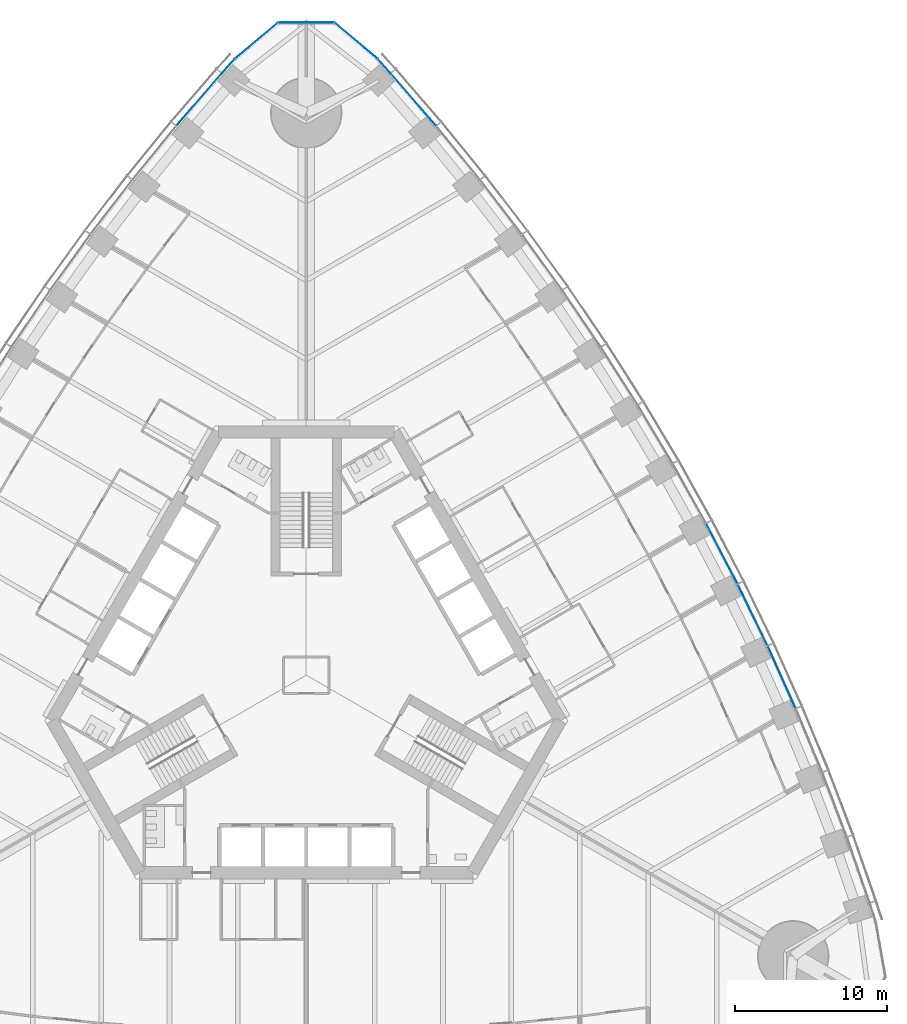
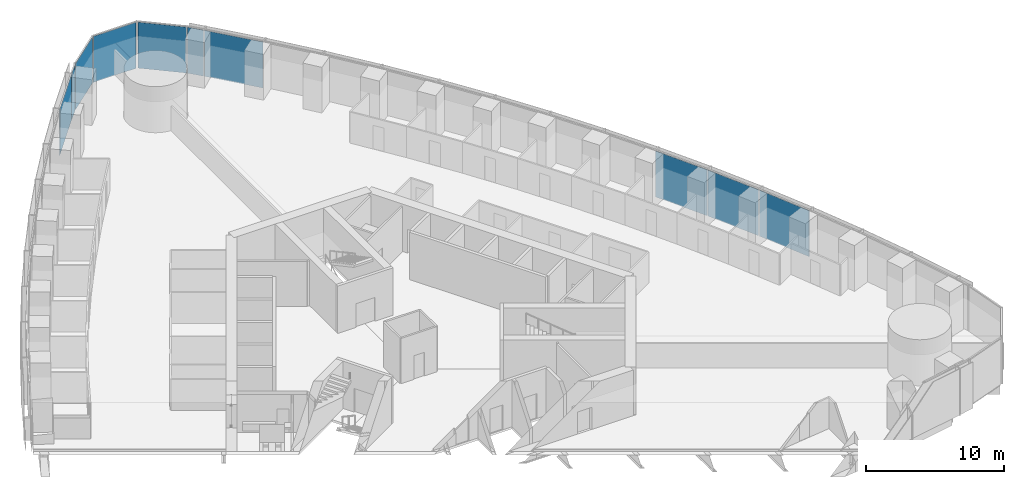
# One storey, part 9 of 19: 10 plates, 3 elements without a shape of their own.
"""IFC4 building model written with IfcOpenShell, lengths in metres."""

from ifc_helpers import new_model, si_unit, direction, frame, origin, origin_2d, place, context, subcontext, project, spatial, rectangle, extrude, material, layer, layer_set, type_object, element, aggregate, save


model = new_model("IFC4")

# Units and contexts
model_context = context("Model", 3, precision=1e-05, world=origin(), true_north=direction((0.0, 1.0)))
body_context = subcontext(model_context, "Body", "Model", "MODEL_VIEW")
ifc_project = project(units=[si_unit("LENGTHUNIT", "METRE"), si_unit("AREAUNIT", "SQUARE_METRE"), si_unit("VOLUMEUNIT", "CUBIC_METRE"), si_unit("PLANEANGLEUNIT", "RADIAN"), si_unit("MASSUNIT", "GRAM", prefix="KILO")], contexts=[model_context])

# Site, building, storey
site_placement = place(None, origin())
site = spatial("IfcSite", under=ifc_project, at=site_placement, CompositionType="ELEMENT")
building_placement = place(site_placement, origin())
building = spatial("IfcBuilding", under=site, at=building_placement, Name="Trefoil Bronze Tower", CompositionType="ELEMENT")
storey_placement = place(building_placement, frame((0.0, 0.0, 16.5)))
storey = spatial("IfcBuildingStorey", under=building, at=storey_placement, Name="L03", CompositionType="ELEMENT", Elevation=16.5)

# Curtain wall, plates
ifc_material_1 = material(Name="Tinted solar-control glass", Category="glass")
curtain_wall_type_1 = type_object("IfcCurtainWallType", Name="Bronze office curtain wall", PredefinedType="USERDEFINED", material=ifc_material_1)
curtain_wall_1_placement = place(storey_placement, origin())
curtain_wall_1 = element("IfcCurtainWall", 1, at=curtain_wall_1_placement, inside=storey, type_object=curtain_wall_type_1, Name="CW-A L03 F2", ObjectType="CURTAIN WALL", PredefinedType="USERDEFINED")
ifc_material_2 = material(Name="Tinted solar-control glass", Category="glass")
ifc_layer_1 = layer(ifc_material_2, 0.030029296875)
ifc_layer_set_1 = layer_set([ifc_layer_1], Name="Bronze office curtain wall glass panel")
plate_type_1 = type_object("IfcPlateType", Name="Bronze office curtain wall glass panel", PredefinedType="CURTAIN_PANEL", material=ifc_layer_set_1)
plate_1_placement = place(storey_placement, frame((31.28857421875, -0.1337890625, 0.0), z_axis=(0.0, 0.0, 1.0), x_axis=(-0.40945635808, 0.912329705111, 0.0)))
plate_1 = element("IfcPlate", 2, at=plate_1_placement, type_object=plate_type_1, Name="CW-A L03 F2 panel 5", PredefinedType="CURTAIN_PANEL", context=body_context, shape_type="SweptSolid", body=[
    extrude(rectangle(XDim=4.443359375, YDim=0.030029296875, at=origin_2d()), origin(), (0.0, 0.0, 1.0), 4.080078125),
])
plate_2_placement = place(storey_placement, frame((29.3779296875, 3.962646484375, 0.0), z_axis=(0.0, 0.0, 1.0), x_axis=(-0.4358553457, 0.900016731858, 0.0)))
plate_2 = element("IfcPlate", 3, at=plate_2_placement, type_object=plate_type_1, Name="CW-A L03 F2 panel 6", PredefinedType="CURTAIN_PANEL", context=body_context, shape_type="SweptSolid", body=[
    extrude(rectangle(XDim=4.431884765625, YDim=0.030029296875, at=origin_2d()), origin(), (0.0, 0.0, 1.0), 4.080078125),
])
plate_3_placement = place(storey_placement, frame((27.353271484375, 7.9931640625, 0.0), z_axis=(0.0, 0.0, 1.0), x_axis=(-0.46182981834, 0.886968555752, 0.0)))
plate_3 = element("IfcPlate", 4, at=plate_3_placement, type_object=plate_type_1, Name="CW-A L03 F2 panel 7", PredefinedType="CURTAIN_PANEL", context=body_context, shape_type="SweptSolid", body=[
    extrude(rectangle(XDim=4.42431640625, YDim=0.030029296875, at=origin_2d()), origin(), (0.0, 0.0, 1.0), 4.080078125),
])
plate_4_placement = place(storey_placement, frame((7.056396484375, 37.870849609375, 0.0), z_axis=(0.0, 0.0, 1.0), x_axis=(-0.654376090833, 0.756169248083, 0.0)))
plate_4 = element("IfcPlate", 5, at=plate_4_placement, type_object=plate_type_1, Name="CW-A L03 F2 panel 15", PredefinedType="CURTAIN_PANEL", context=body_context, shape_type="SweptSolid", body=[
    extrude(rectangle(XDim=4.502197265625, YDim=0.030029296875, at=origin_2d()), origin(), (0.0, 0.0, 1.0), 4.080078125),
])
plate_5_placement = place(storey_placement, frame((5.12451171875, 40.08447265625, 0.0), z_axis=(0.0, 0.0, 1.0), x_axis=(-0.668575006272, 0.743644714221, 0.0)))
plate_5 = element("IfcPlate", 6, at=plate_5_placement, type_object=plate_type_1, Name="CW-A L03 F2 panel 16", PredefinedType="CURTAIN_PANEL", context=body_context, shape_type="SweptSolid", body=[
    extrude(rectangle(XDim=1.21044921875, YDim=0.030029296875, at=origin_2d()), origin(), (0.0, 0.0, 1.0), 4.080078125),
])
aggregate(curtain_wall_1, [plate_1, plate_2, plate_3, plate_4, plate_5])

curtain_wall_2_placement = place(storey_placement, origin())
curtain_wall_2 = element("IfcCurtainWall", 7, at=curtain_wall_2_placement, inside=storey, type_object=curtain_wall_type_1, Name="CW-A L03 F3", ObjectType="CURTAIN WALL", PredefinedType="USERDEFINED")
plate_6_placement = place(storey_placement, frame((-5.12451171875, 40.08447265625, 0.0), z_axis=(0.0, 0.0, 1.0), x_axis=(-0.668575006272, -0.743644714221, 0.0)))
plate_6 = element("IfcPlate", 8, at=plate_6_placement, type_object=plate_type_1, Name="CW-A L03 F3 panel 1", PredefinedType="CURTAIN_PANEL", context=body_context, shape_type="SweptSolid", body=[
    extrude(rectangle(XDim=1.21044921875, YDim=0.030029296875, at=origin_2d()), origin(), (0.0, 0.0, 1.0), 4.080078125),
])
plate_7_placement = place(storey_placement, frame((-7.056396484375, 37.870849609375, 0.0), z_axis=(0.0, 0.0, 1.0), x_axis=(-0.654376090833, -0.756169248083, 0.0)))
plate_7 = element("IfcPlate", 9, at=plate_7_placement, type_object=plate_type_1, Name="CW-A L03 F3 panel 2", PredefinedType="CURTAIN_PANEL", context=body_context, shape_type="SweptSolid", body=[
    extrude(rectangle(XDim=4.502197265625, YDim=0.030029296875, at=origin_2d()), origin(), (0.0, 0.0, 1.0), 4.080078125),
])
aggregate(curtain_wall_2, [plate_6, plate_7])

ifc_material_3 = material(Name="Tinted solar-control glass", Category="glass")
curtain_wall_type_2 = type_object("IfcCurtainWallType", Name="Bronze rounded corner curtain wall", PredefinedType="USERDEFINED", material=ifc_material_3)
curtain_wall_3_placement = place(storey_placement, origin())
curtain_wall_3 = element("IfcCurtainWall", 10, at=curtain_wall_3_placement, inside=storey, type_object=curtain_wall_type_2, Name="CW-B L03 K2", ObjectType="CURTAIN WALL", PredefinedType="USERDEFINED")
ifc_material_4 = material(Name="Tinted solar-control glass", Category="glass")
ifc_layer_2 = layer(ifc_material_4, 0.030029296875)
ifc_layer_set_2 = layer_set([ifc_layer_2], Name="Bronze rounded corner curtain wall glass panel")
plate_type_2 = type_object("IfcPlateType", Name="Bronze rounded corner curtain wall glass panel", PredefinedType="CURTAIN_PANEL", material=ifc_layer_set_2)
plate_8_placement = place(storey_placement, frame((3.28564453125, 41.74658203125, 0.0), z_axis=(0.0, 0.0, 1.0), x_axis=(-0.766044443119, 0.642787609687, 0.0)))
plate_8 = element("IfcPlate", 11, at=plate_8_placement, type_object=plate_type_2, Name="CW-B L03 K2 panel 1", PredefinedType="CURTAIN_PANEL", context=body_context, shape_type="SweptSolid", body=[
    extrude(rectangle(XDim=3.588134765625, YDim=0.030029296875, at=origin_2d()), origin(), (0.0, 0.0, 1.0), 4.080078125),
])
plate_9_placement = place(storey_placement, frame((0.0, 42.9423828125, 0.0), z_axis=(0.0, 0.0, 1.0), x_axis=(-1.0, 0.0, 0.0)))
plate_9 = element("IfcPlate", 12, at=plate_9_placement, type_object=plate_type_2, Name="CW-B L03 K2 panel 2", PredefinedType="CURTAIN_PANEL", context=body_context, shape_type="SweptSolid", body=[
    extrude(rectangle(XDim=3.588134765625, YDim=0.030029296875, at=origin_2d()), origin(), (0.0, 0.0, 1.0), 4.080078125),
])
plate_10_placement = place(storey_placement, frame((-3.28564453125, 41.74658203125, 0.0), z_axis=(0.0, 0.0, 1.0), x_axis=(-0.766044443119, -0.642787609687, 0.0)))
plate_10 = element("IfcPlate", 13, at=plate_10_placement, type_object=plate_type_2, Name="CW-B L03 K2 panel 3", PredefinedType="CURTAIN_PANEL", context=body_context, shape_type="SweptSolid", body=[
    extrude(rectangle(XDim=3.588134765625, YDim=0.030029296875, at=origin_2d()), origin(), (0.0, 0.0, 1.0), 4.080078125),
])
aggregate(curtain_wall_3, [plate_8, plate_9, plate_10])

save(model, "model.ifc")
